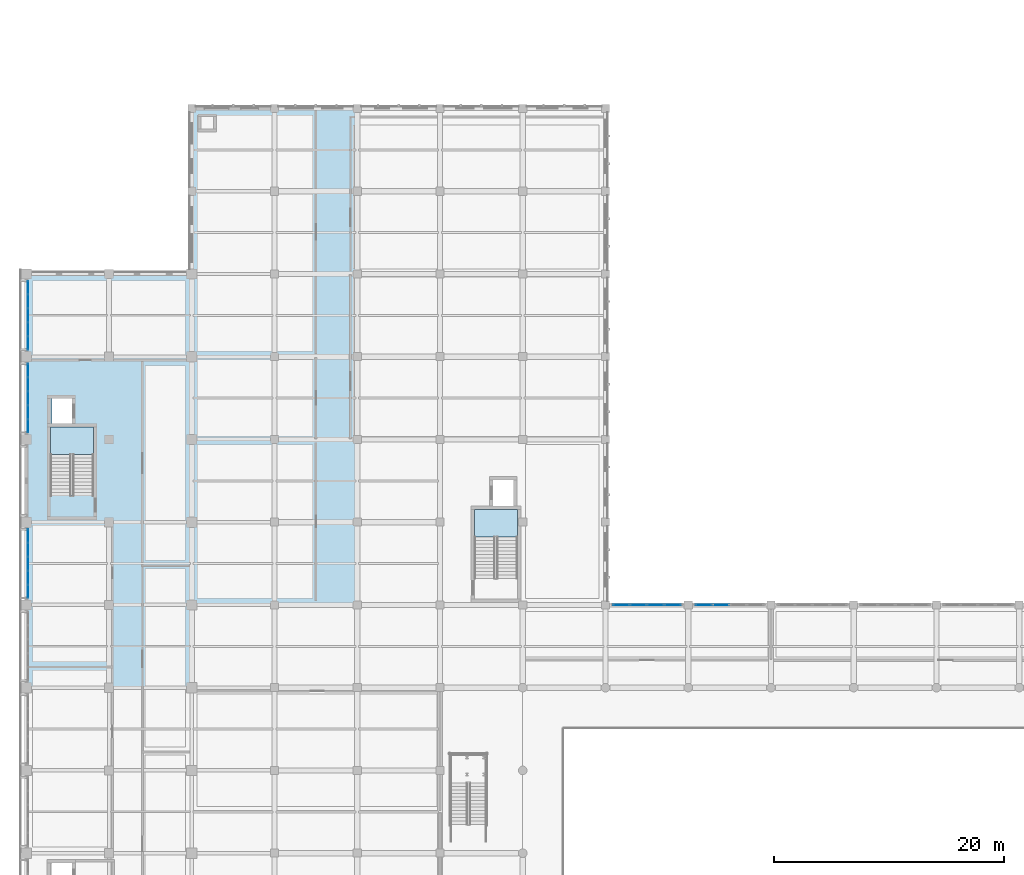
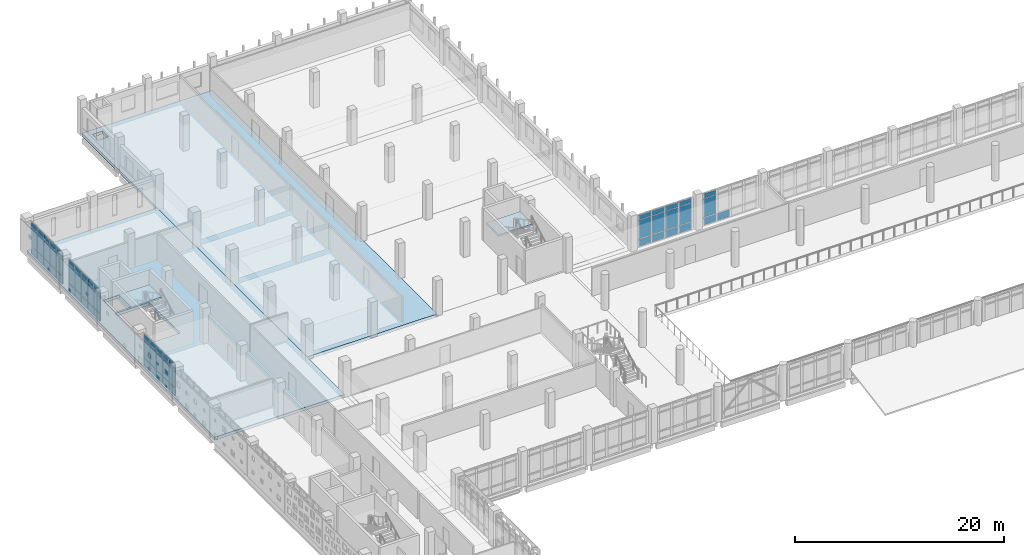
# One storey, part 26 of 57: 61 plates, 4 slabs, 7 elements without a shape of their own.
"""IFC4 building model written with IfcOpenShell, lengths in metres."""

from ifc_helpers import new_model, si_unit, direction, frame, origin, origin_2d, place, context, subcontext, project, spatial, polyline, rectangle, outline, extrude, material, layer, layer_set, type_object, element, aggregate, save


model = new_model("IFC4")

# Units and contexts
model_context = context("Model", 3, precision=1e-05, world=origin(), true_north=direction((0.0, 1.0)))
body_context = subcontext(model_context, "Body", "Model", "MODEL_VIEW")
ifc_project = project(units=[si_unit("LENGTHUNIT", "METRE"), si_unit("AREAUNIT", "SQUARE_METRE"), si_unit("VOLUMEUNIT", "CUBIC_METRE"), si_unit("PLANEANGLEUNIT", "RADIAN"), si_unit("MASSUNIT", "GRAM", prefix="KILO")], contexts=[model_context])

# Site, building, storey
site_placement = place(None, origin())
site = spatial("IfcSite", under=ifc_project, at=site_placement, CompositionType="ELEMENT")
building_placement = place(site_placement, origin())
building = spatial("IfcBuilding", under=site, at=building_placement, Name="Valkovuoma Quantum and Materials Research Institute", CompositionType="ELEMENT")
storey_placement = place(building_placement, frame((0.0, 0.0, 4.800048828125)))
storey = spatial("IfcBuildingStorey", under=building, at=storey_placement, Name="L01", CompositionType="ELEMENT", Elevation=4.800048828125)

# Curtain wall, plates
ifc_material_1 = material(Name="Thermally broken aluminium and triple low-E glazing", Category="aluminium")
ifc_layer_1 = layer(ifc_material_1, 0.219970703125)
ifc_layer_set_1 = layer_set([ifc_layer_1], Name="Thermally broken aluminium and triple low-E glazing")
curtain_wall_type_1 = type_object("IfcCurtainWallType", Name="CW-CW-01", PredefinedType="NOTDEFINED", material=ifc_layer_set_1)
curtain_wall_1_placement = place(storey_placement, origin())
curtain_wall_1 = element("IfcCurtainWall", 1, at=curtain_wall_1_placement, inside=storey, type_object=curtain_wall_type_1, Name="L01 curtain wall 015", PredefinedType="NOTDEFINED")
ifc_material_2 = material(Name="Triple low-E argon insulating glass", Category="glass")
ifc_layer_2 = layer(ifc_material_2, 0.035888671875)
ifc_layer_set_2 = layer_set([ifc_layer_2], Name="Triple low-E argon insulating glass")
plate_type_1 = type_object("IfcPlateType", Name="CWPanel-CWP-01", PredefinedType="CURTAIN_PANEL", material=ifc_layer_set_2)
plate_1_placement = place(storey_placement, frame((0.14990234375, 65.98193359375, 0.06494140625), z_axis=(0.0, 0.0, 1.0), x_axis=(0.0, 1.0, 0.0)))
plate_1 = element("IfcPlate", 2, at=plate_1_placement, type_object=plate_type_1, Name="CW-01 panel 1.1", PredefinedType="CURTAIN_PANEL", context=body_context, shape_type="SweptSolid", body=[
    extrude(rectangle(XDim=1.11962890625, YDim=0.035888671875, at=origin_2d()), origin(), (0.0, 0.0, 1.0), 0.8525390625),
])
plate_2_placement = place(storey_placement, frame((0.14990234375, 65.98193359375, 0.982421875), z_axis=(0.0, 0.0, 1.0), x_axis=(0.0, 1.0, 0.0)))
plate_2 = element("IfcPlate", 3, at=plate_2_placement, type_object=plate_type_1, Name="CW-01 panel 1.2", PredefinedType="CURTAIN_PANEL", context=body_context, shape_type="SweptSolid", body=[
    extrude(rectangle(XDim=1.11962890625, YDim=0.035888671875, at=origin_2d()), origin(), (0.0, 0.0, 1.0), 2.14501953125),
])
plate_3_placement = place(storey_placement, frame((0.14990234375, 65.98193359375, 3.1923828125), z_axis=(0.0, 0.0, 1.0), x_axis=(0.0, 1.0, 0.0)))
plate_3 = element("IfcPlate", 4, at=plate_3_placement, type_object=plate_type_1, Name="CW-01 panel 1.3", PredefinedType="CURTAIN_PANEL", context=body_context, shape_type="SweptSolid", body=[
    extrude(rectangle(XDim=1.11962890625, YDim=0.035888671875, at=origin_2d()), origin(), (0.0, 0.0, 1.0), 0.552490234375),
])
plate_4_placement = place(storey_placement, frame((0.14990234375, 67.182861328125, 0.06494140625), z_axis=(0.0, 0.0, 1.0), x_axis=(0.0, 1.0, 0.0)))
plate_4 = element("IfcPlate", 5, at=plate_4_placement, type_object=plate_type_1, Name="CW-01 panel 2.1", PredefinedType="CURTAIN_PANEL", context=body_context, shape_type="SweptSolid", body=[
    extrude(rectangle(XDim=1.152099609375, YDim=0.035888671875, at=origin_2d()), origin(), (0.0, 0.0, 1.0), 0.8525390625),
])
plate_5_placement = place(storey_placement, frame((0.14990234375, 67.182861328125, 0.982421875), z_axis=(0.0, 0.0, 1.0), x_axis=(0.0, 1.0, 0.0)))
plate_5 = element("IfcPlate", 6, at=plate_5_placement, type_object=plate_type_1, Name="CW-01 panel 2.2", PredefinedType="CURTAIN_PANEL", context=body_context, shape_type="SweptSolid", body=[
    extrude(rectangle(XDim=1.152099609375, YDim=0.035888671875, at=origin_2d()), origin(), (0.0, 0.0, 1.0), 2.14501953125),
])
plate_6_placement = place(storey_placement, frame((0.14990234375, 67.182861328125, 3.1923828125), z_axis=(0.0, 0.0, 1.0), x_axis=(0.0, 1.0, 0.0)))
plate_6 = element("IfcPlate", 7, at=plate_6_placement, type_object=plate_type_1, Name="CW-01 panel 2.3", PredefinedType="CURTAIN_PANEL", context=body_context, shape_type="SweptSolid", body=[
    extrude(rectangle(XDim=1.152099609375, YDim=0.035888671875, at=origin_2d()), origin(), (0.0, 0.0, 1.0), 0.552490234375),
])
plate_7_placement = place(storey_placement, frame((0.14990234375, 68.39990234375, 0.06494140625), z_axis=(0.0, 0.0, 1.0), x_axis=(0.0, 1.0, 0.0)))
plate_7 = element("IfcPlate", 8, at=plate_7_placement, type_object=plate_type_1, Name="CW-01 panel 3.1", PredefinedType="CURTAIN_PANEL", context=body_context, shape_type="SweptSolid", body=[
    extrude(rectangle(XDim=1.152099609375, YDim=0.035888671875, at=origin_2d()), origin(), (0.0, 0.0, 1.0), 0.8525390625),
])
plate_8_placement = place(storey_placement, frame((0.14990234375, 68.39990234375, 0.982421875), z_axis=(0.0, 0.0, 1.0), x_axis=(0.0, 1.0, 0.0)))
plate_8 = element("IfcPlate", 9, at=plate_8_placement, type_object=plate_type_1, Name="CW-01 panel 3.2", PredefinedType="CURTAIN_PANEL", context=body_context, shape_type="SweptSolid", body=[
    extrude(rectangle(XDim=1.152099609375, YDim=0.035888671875, at=origin_2d()), origin(), (0.0, 0.0, 1.0), 2.14501953125),
])
plate_9_placement = place(storey_placement, frame((0.14990234375, 68.39990234375, 3.1923828125), z_axis=(0.0, 0.0, 1.0), x_axis=(0.0, 1.0, 0.0)))
plate_9 = element("IfcPlate", 10, at=plate_9_placement, type_object=plate_type_1, Name="CW-01 panel 3.3", PredefinedType="CURTAIN_PANEL", context=body_context, shape_type="SweptSolid", body=[
    extrude(rectangle(XDim=1.152099609375, YDim=0.035888671875, at=origin_2d()), origin(), (0.0, 0.0, 1.0), 0.552490234375),
])
plate_10_placement = place(storey_placement, frame((0.14990234375, 69.6171875, 0.06494140625), z_axis=(0.0, 0.0, 1.0), x_axis=(0.0, 1.0, 0.0)))
plate_10 = element("IfcPlate", 11, at=plate_10_placement, type_object=plate_type_1, Name="CW-01 panel 4.1", PredefinedType="CURTAIN_PANEL", context=body_context, shape_type="SweptSolid", body=[
    extrude(rectangle(XDim=1.152099609375, YDim=0.035888671875, at=origin_2d()), origin(), (0.0, 0.0, 1.0), 0.8525390625),
])
plate_11_placement = place(storey_placement, frame((0.14990234375, 69.6171875, 0.982421875), z_axis=(0.0, 0.0, 1.0), x_axis=(0.0, 1.0, 0.0)))
plate_11 = element("IfcPlate", 12, at=plate_11_placement, type_object=plate_type_1, Name="CW-01 panel 4.2", PredefinedType="CURTAIN_PANEL", context=body_context, shape_type="SweptSolid", body=[
    extrude(rectangle(XDim=1.152099609375, YDim=0.035888671875, at=origin_2d()), origin(), (0.0, 0.0, 1.0), 2.14501953125),
])
plate_12_placement = place(storey_placement, frame((0.14990234375, 69.6171875, 3.1923828125), z_axis=(0.0, 0.0, 1.0), x_axis=(0.0, 1.0, 0.0)))
plate_12 = element("IfcPlate", 13, at=plate_12_placement, type_object=plate_type_1, Name="CW-01 panel 4.3", PredefinedType="CURTAIN_PANEL", context=body_context, shape_type="SweptSolid", body=[
    extrude(rectangle(XDim=1.152099609375, YDim=0.035888671875, at=origin_2d()), origin(), (0.0, 0.0, 1.0), 0.552490234375),
])
plate_13_placement = place(storey_placement, frame((0.14990234375, 70.818115234375, 0.06494140625), z_axis=(0.0, 0.0, 1.0), x_axis=(0.0, 1.0, 0.0)))
plate_13 = element("IfcPlate", 14, at=plate_13_placement, type_object=plate_type_1, Name="CW-01 panel 5.1", PredefinedType="CURTAIN_PANEL", context=body_context, shape_type="SweptSolid", body=[
    extrude(rectangle(XDim=1.11962890625, YDim=0.035888671875, at=origin_2d()), origin(), (0.0, 0.0, 1.0), 0.8525390625),
])
plate_14_placement = place(storey_placement, frame((0.14990234375, 70.818115234375, 0.982421875), z_axis=(0.0, 0.0, 1.0), x_axis=(0.0, 1.0, 0.0)))
plate_14 = element("IfcPlate", 15, at=plate_14_placement, type_object=plate_type_1, Name="CW-01 panel 5.2", PredefinedType="CURTAIN_PANEL", context=body_context, shape_type="SweptSolid", body=[
    extrude(rectangle(XDim=1.11962890625, YDim=0.035888671875, at=origin_2d()), origin(), (0.0, 0.0, 1.0), 2.14501953125),
])
plate_15_placement = place(storey_placement, frame((0.14990234375, 70.818115234375, 3.1923828125), z_axis=(0.0, 0.0, 1.0), x_axis=(0.0, 1.0, 0.0)))
plate_15 = element("IfcPlate", 16, at=plate_15_placement, type_object=plate_type_1, Name="CW-01 panel 5.3", PredefinedType="CURTAIN_PANEL", context=body_context, shape_type="SweptSolid", body=[
    extrude(rectangle(XDim=1.11962890625, YDim=0.035888671875, at=origin_2d()), origin(), (0.0, 0.0, 1.0), 0.552490234375),
])
aggregate(curtain_wall_1, [plate_1, plate_2, plate_3, plate_4, plate_5, plate_6, plate_7, plate_8, plate_9, plate_10, plate_11, plate_12, plate_13, plate_14, plate_15])

curtain_wall_2_placement = place(storey_placement, origin())
curtain_wall_2 = element("IfcCurtainWall", 17, at=curtain_wall_2_placement, inside=storey, type_object=curtain_wall_type_1, Name="L01 curtain wall 016", PredefinedType="NOTDEFINED")
plate_16_placement = place(storey_placement, frame((0.14990234375, 80.3818359375, 0.06494140625), z_axis=(0.0, 0.0, 1.0), x_axis=(0.0, 1.0, 0.0)))
plate_16 = element("IfcPlate", 18, at=plate_16_placement, type_object=plate_type_1, Name="CW-01 panel 1.1", PredefinedType="CURTAIN_PANEL", context=body_context, shape_type="SweptSolid", body=[
    extrude(rectangle(XDim=1.11962890625, YDim=0.035888671875, at=origin_2d()), origin(), (0.0, 0.0, 1.0), 0.8525390625),
])
plate_17_placement = place(storey_placement, frame((0.14990234375, 80.3818359375, 0.982421875), z_axis=(0.0, 0.0, 1.0), x_axis=(0.0, 1.0, 0.0)))
plate_17 = element("IfcPlate", 19, at=plate_17_placement, type_object=plate_type_1, Name="CW-01 panel 1.2", PredefinedType="CURTAIN_PANEL", context=body_context, shape_type="SweptSolid", body=[
    extrude(rectangle(XDim=1.11962890625, YDim=0.035888671875, at=origin_2d()), origin(), (0.0, 0.0, 1.0), 2.14501953125),
])
plate_18_placement = place(storey_placement, frame((0.14990234375, 80.3818359375, 3.1923828125), z_axis=(0.0, 0.0, 1.0), x_axis=(0.0, 1.0, 0.0)))
plate_18 = element("IfcPlate", 20, at=plate_18_placement, type_object=plate_type_1, Name="CW-01 panel 1.3", PredefinedType="CURTAIN_PANEL", context=body_context, shape_type="SweptSolid", body=[
    extrude(rectangle(XDim=1.11962890625, YDim=0.035888671875, at=origin_2d()), origin(), (0.0, 0.0, 1.0), 0.552490234375),
])
plate_19_placement = place(storey_placement, frame((0.14990234375, 81.582763671875, 0.06494140625), z_axis=(0.0, 0.0, 1.0), x_axis=(0.0, 1.0, 0.0)))
plate_19 = element("IfcPlate", 21, at=plate_19_placement, type_object=plate_type_1, Name="CW-01 panel 2.1", PredefinedType="CURTAIN_PANEL", context=body_context, shape_type="SweptSolid", body=[
    extrude(rectangle(XDim=1.152099609375, YDim=0.035888671875, at=origin_2d()), origin(), (0.0, 0.0, 1.0), 0.8525390625),
])
plate_20_placement = place(storey_placement, frame((0.14990234375, 81.582763671875, 0.982421875), z_axis=(0.0, 0.0, 1.0), x_axis=(0.0, 1.0, 0.0)))
plate_20 = element("IfcPlate", 22, at=plate_20_placement, type_object=plate_type_1, Name="CW-01 panel 2.2", PredefinedType="CURTAIN_PANEL", context=body_context, shape_type="SweptSolid", body=[
    extrude(rectangle(XDim=1.152099609375, YDim=0.035888671875, at=origin_2d()), origin(), (0.0, 0.0, 1.0), 2.14501953125),
])
plate_21_placement = place(storey_placement, frame((0.14990234375, 81.582763671875, 3.1923828125), z_axis=(0.0, 0.0, 1.0), x_axis=(0.0, 1.0, 0.0)))
plate_21 = element("IfcPlate", 23, at=plate_21_placement, type_object=plate_type_1, Name="CW-01 panel 2.3", PredefinedType="CURTAIN_PANEL", context=body_context, shape_type="SweptSolid", body=[
    extrude(rectangle(XDim=1.152099609375, YDim=0.035888671875, at=origin_2d()), origin(), (0.0, 0.0, 1.0), 0.552490234375),
])
plate_22_placement = place(storey_placement, frame((0.14990234375, 82.800048828125, 0.06494140625), z_axis=(0.0, 0.0, 1.0), x_axis=(0.0, 1.0, 0.0)))
plate_22 = element("IfcPlate", 24, at=plate_22_placement, type_object=plate_type_1, Name="CW-01 panel 3.1", PredefinedType="CURTAIN_PANEL", context=body_context, shape_type="SweptSolid", body=[
    extrude(rectangle(XDim=1.152099609375, YDim=0.035888671875, at=origin_2d()), origin(), (0.0, 0.0, 1.0), 0.8525390625),
])
plate_23_placement = place(storey_placement, frame((0.14990234375, 82.800048828125, 0.982421875), z_axis=(0.0, 0.0, 1.0), x_axis=(0.0, 1.0, 0.0)))
plate_23 = element("IfcPlate", 25, at=plate_23_placement, type_object=plate_type_1, Name="CW-01 panel 3.2", PredefinedType="CURTAIN_PANEL", context=body_context, shape_type="SweptSolid", body=[
    extrude(rectangle(XDim=1.152099609375, YDim=0.035888671875, at=origin_2d()), origin(), (0.0, 0.0, 1.0), 2.14501953125),
])
plate_24_placement = place(storey_placement, frame((0.14990234375, 82.800048828125, 3.1923828125), z_axis=(0.0, 0.0, 1.0), x_axis=(0.0, 1.0, 0.0)))
plate_24 = element("IfcPlate", 26, at=plate_24_placement, type_object=plate_type_1, Name="CW-01 panel 3.3", PredefinedType="CURTAIN_PANEL", context=body_context, shape_type="SweptSolid", body=[
    extrude(rectangle(XDim=1.152099609375, YDim=0.035888671875, at=origin_2d()), origin(), (0.0, 0.0, 1.0), 0.552490234375),
])
plate_25_placement = place(storey_placement, frame((0.14990234375, 84.01708984375, 0.06494140625), z_axis=(0.0, 0.0, 1.0), x_axis=(0.0, 1.0, 0.0)))
plate_25 = element("IfcPlate", 27, at=plate_25_placement, type_object=plate_type_1, Name="CW-01 panel 4.1", PredefinedType="CURTAIN_PANEL", context=body_context, shape_type="SweptSolid", body=[
    extrude(rectangle(XDim=1.152099609375, YDim=0.035888671875, at=origin_2d()), origin(), (0.0, 0.0, 1.0), 0.8525390625),
])
plate_26_placement = place(storey_placement, frame((0.14990234375, 84.01708984375, 0.982421875), z_axis=(0.0, 0.0, 1.0), x_axis=(0.0, 1.0, 0.0)))
plate_26 = element("IfcPlate", 28, at=plate_26_placement, type_object=plate_type_1, Name="CW-01 panel 4.2", PredefinedType="CURTAIN_PANEL", context=body_context, shape_type="SweptSolid", body=[
    extrude(rectangle(XDim=1.152099609375, YDim=0.035888671875, at=origin_2d()), origin(), (0.0, 0.0, 1.0), 2.14501953125),
])
plate_27_placement = place(storey_placement, frame((0.14990234375, 84.01708984375, 3.1923828125), z_axis=(0.0, 0.0, 1.0), x_axis=(0.0, 1.0, 0.0)))
plate_27 = element("IfcPlate", 29, at=plate_27_placement, type_object=plate_type_1, Name="CW-01 panel 4.3", PredefinedType="CURTAIN_PANEL", context=body_context, shape_type="SweptSolid", body=[
    extrude(rectangle(XDim=1.152099609375, YDim=0.035888671875, at=origin_2d()), origin(), (0.0, 0.0, 1.0), 0.552490234375),
])
plate_28_placement = place(storey_placement, frame((0.14990234375, 85.218017578125, 0.06494140625), z_axis=(0.0, 0.0, 1.0), x_axis=(0.0, 1.0, 0.0)))
plate_28 = element("IfcPlate", 30, at=plate_28_placement, type_object=plate_type_1, Name="CW-01 panel 5.1", PredefinedType="CURTAIN_PANEL", context=body_context, shape_type="SweptSolid", body=[
    extrude(rectangle(XDim=1.11962890625, YDim=0.035888671875, at=origin_2d()), origin(), (0.0, 0.0, 1.0), 0.8525390625),
])
plate_29_placement = place(storey_placement, frame((0.14990234375, 85.218017578125, 0.982421875), z_axis=(0.0, 0.0, 1.0), x_axis=(0.0, 1.0, 0.0)))
plate_29 = element("IfcPlate", 31, at=plate_29_placement, type_object=plate_type_1, Name="CW-01 panel 5.2", PredefinedType="CURTAIN_PANEL", context=body_context, shape_type="SweptSolid", body=[
    extrude(rectangle(XDim=1.11962890625, YDim=0.035888671875, at=origin_2d()), origin(), (0.0, 0.0, 1.0), 2.14501953125),
])
plate_30_placement = place(storey_placement, frame((0.14990234375, 85.218017578125, 3.1923828125), z_axis=(0.0, 0.0, 1.0), x_axis=(0.0, 1.0, 0.0)))
plate_30 = element("IfcPlate", 32, at=plate_30_placement, type_object=plate_type_1, Name="CW-01 panel 5.3", PredefinedType="CURTAIN_PANEL", context=body_context, shape_type="SweptSolid", body=[
    extrude(rectangle(XDim=1.11962890625, YDim=0.035888671875, at=origin_2d()), origin(), (0.0, 0.0, 1.0), 0.552490234375),
])
aggregate(curtain_wall_2, [plate_16, plate_17, plate_18, plate_19, plate_20, plate_21, plate_22, plate_23, plate_24, plate_25, plate_26, plate_27, plate_28, plate_29, plate_30])

curtain_wall_3_placement = place(storey_placement, origin())
curtain_wall_3 = element("IfcCurtainWall", 33, at=curtain_wall_3_placement, inside=storey, type_object=curtain_wall_type_1, Name="L01 curtain wall 017", PredefinedType="NOTDEFINED")
plate_31_placement = place(storey_placement, frame((0.14990234375, 87.58203125, 0.06494140625), z_axis=(0.0, 0.0, 1.0), x_axis=(0.0, 1.0, 0.0)))
plate_31 = element("IfcPlate", 34, at=plate_31_placement, type_object=plate_type_1, Name="CW-01 panel 1.1", PredefinedType="CURTAIN_PANEL", context=body_context, shape_type="SweptSolid", body=[
    extrude(rectangle(XDim=1.11962890625, YDim=0.035888671875, at=origin_2d()), origin(), (0.0, 0.0, 1.0), 0.8525390625),
])
plate_32_placement = place(storey_placement, frame((0.14990234375, 87.58203125, 0.982421875), z_axis=(0.0, 0.0, 1.0), x_axis=(0.0, 1.0, 0.0)))
plate_32 = element("IfcPlate", 35, at=plate_32_placement, type_object=plate_type_1, Name="CW-01 panel 1.2", PredefinedType="CURTAIN_PANEL", context=body_context, shape_type="SweptSolid", body=[
    extrude(rectangle(XDim=1.11962890625, YDim=0.035888671875, at=origin_2d()), origin(), (0.0, 0.0, 1.0), 2.14501953125),
])
plate_33_placement = place(storey_placement, frame((0.14990234375, 87.58203125, 3.1923828125), z_axis=(0.0, 0.0, 1.0), x_axis=(0.0, 1.0, 0.0)))
plate_33 = element("IfcPlate", 36, at=plate_33_placement, type_object=plate_type_1, Name="CW-01 panel 1.3", PredefinedType="CURTAIN_PANEL", context=body_context, shape_type="SweptSolid", body=[
    extrude(rectangle(XDim=1.11962890625, YDim=0.035888671875, at=origin_2d()), origin(), (0.0, 0.0, 1.0), 0.552490234375),
])
plate_34_placement = place(storey_placement, frame((0.14990234375, 88.782958984375, 0.06494140625), z_axis=(0.0, 0.0, 1.0), x_axis=(0.0, 1.0, 0.0)))
plate_34 = element("IfcPlate", 37, at=plate_34_placement, type_object=plate_type_1, Name="CW-01 panel 2.1", PredefinedType="CURTAIN_PANEL", context=body_context, shape_type="SweptSolid", body=[
    extrude(rectangle(XDim=1.152099609375, YDim=0.035888671875, at=origin_2d()), origin(), (0.0, 0.0, 1.0), 0.8525390625),
])
plate_35_placement = place(storey_placement, frame((0.14990234375, 88.782958984375, 0.982421875), z_axis=(0.0, 0.0, 1.0), x_axis=(0.0, 1.0, 0.0)))
plate_35 = element("IfcPlate", 38, at=plate_35_placement, type_object=plate_type_1, Name="CW-01 panel 2.2", PredefinedType="CURTAIN_PANEL", context=body_context, shape_type="SweptSolid", body=[
    extrude(rectangle(XDim=1.152099609375, YDim=0.035888671875, at=origin_2d()), origin(), (0.0, 0.0, 1.0), 2.14501953125),
])
plate_36_placement = place(storey_placement, frame((0.14990234375, 88.782958984375, 3.1923828125), z_axis=(0.0, 0.0, 1.0), x_axis=(0.0, 1.0, 0.0)))
plate_36 = element("IfcPlate", 39, at=plate_36_placement, type_object=plate_type_1, Name="CW-01 panel 2.3", PredefinedType="CURTAIN_PANEL", context=body_context, shape_type="SweptSolid", body=[
    extrude(rectangle(XDim=1.152099609375, YDim=0.035888671875, at=origin_2d()), origin(), (0.0, 0.0, 1.0), 0.552490234375),
])
plate_37_placement = place(storey_placement, frame((0.14990234375, 90.0, 0.06494140625), z_axis=(0.0, 0.0, 1.0), x_axis=(0.0, 1.0, 0.0)))
plate_37 = element("IfcPlate", 40, at=plate_37_placement, type_object=plate_type_1, Name="CW-01 panel 3.1", PredefinedType="CURTAIN_PANEL", context=body_context, shape_type="SweptSolid", body=[
    extrude(rectangle(XDim=1.152099609375, YDim=0.035888671875, at=origin_2d()), origin(), (0.0, 0.0, 1.0), 0.8525390625),
])
plate_38_placement = place(storey_placement, frame((0.14990234375, 90.0, 0.982421875), z_axis=(0.0, 0.0, 1.0), x_axis=(0.0, 1.0, 0.0)))
plate_38 = element("IfcPlate", 41, at=plate_38_placement, type_object=plate_type_1, Name="CW-01 panel 3.2", PredefinedType="CURTAIN_PANEL", context=body_context, shape_type="SweptSolid", body=[
    extrude(rectangle(XDim=1.152099609375, YDim=0.035888671875, at=origin_2d()), origin(), (0.0, 0.0, 1.0), 2.14501953125),
])
plate_39_placement = place(storey_placement, frame((0.14990234375, 90.0, 3.1923828125), z_axis=(0.0, 0.0, 1.0), x_axis=(0.0, 1.0, 0.0)))
plate_39 = element("IfcPlate", 42, at=plate_39_placement, type_object=plate_type_1, Name="CW-01 panel 3.3", PredefinedType="CURTAIN_PANEL", context=body_context, shape_type="SweptSolid", body=[
    extrude(rectangle(XDim=1.152099609375, YDim=0.035888671875, at=origin_2d()), origin(), (0.0, 0.0, 1.0), 0.552490234375),
])
plate_40_placement = place(storey_placement, frame((0.14990234375, 91.217041015625, 0.06494140625), z_axis=(0.0, 0.0, 1.0), x_axis=(0.0, 1.0, 0.0)))
plate_40 = element("IfcPlate", 43, at=plate_40_placement, type_object=plate_type_1, Name="CW-01 panel 4.1", PredefinedType="CURTAIN_PANEL", context=body_context, shape_type="SweptSolid", body=[
    extrude(rectangle(XDim=1.152099609375, YDim=0.035888671875, at=origin_2d()), origin(), (0.0, 0.0, 1.0), 0.8525390625),
])
plate_41_placement = place(storey_placement, frame((0.14990234375, 91.217041015625, 0.982421875), z_axis=(0.0, 0.0, 1.0), x_axis=(0.0, 1.0, 0.0)))
plate_41 = element("IfcPlate", 44, at=plate_41_placement, type_object=plate_type_1, Name="CW-01 panel 4.2", PredefinedType="CURTAIN_PANEL", context=body_context, shape_type="SweptSolid", body=[
    extrude(rectangle(XDim=1.152099609375, YDim=0.035888671875, at=origin_2d()), origin(), (0.0, 0.0, 1.0), 2.14501953125),
])
plate_42_placement = place(storey_placement, frame((0.14990234375, 91.217041015625, 3.1923828125), z_axis=(0.0, 0.0, 1.0), x_axis=(0.0, 1.0, 0.0)))
plate_42 = element("IfcPlate", 45, at=plate_42_placement, type_object=plate_type_1, Name="CW-01 panel 4.3", PredefinedType="CURTAIN_PANEL", context=body_context, shape_type="SweptSolid", body=[
    extrude(rectangle(XDim=1.152099609375, YDim=0.035888671875, at=origin_2d()), origin(), (0.0, 0.0, 1.0), 0.552490234375),
])
plate_43_placement = place(storey_placement, frame((0.14990234375, 92.41796875, 0.06494140625), z_axis=(0.0, 0.0, 1.0), x_axis=(0.0, 1.0, 0.0)))
plate_43 = element("IfcPlate", 46, at=plate_43_placement, type_object=plate_type_1, Name="CW-01 panel 5.1", PredefinedType="CURTAIN_PANEL", context=body_context, shape_type="SweptSolid", body=[
    extrude(rectangle(XDim=1.11962890625, YDim=0.035888671875, at=origin_2d()), origin(), (0.0, 0.0, 1.0), 0.8525390625),
])
plate_44_placement = place(storey_placement, frame((0.14990234375, 92.41796875, 0.982421875), z_axis=(0.0, 0.0, 1.0), x_axis=(0.0, 1.0, 0.0)))
plate_44 = element("IfcPlate", 47, at=plate_44_placement, type_object=plate_type_1, Name="CW-01 panel 5.2", PredefinedType="CURTAIN_PANEL", context=body_context, shape_type="SweptSolid", body=[
    extrude(rectangle(XDim=1.11962890625, YDim=0.035888671875, at=origin_2d()), origin(), (0.0, 0.0, 1.0), 2.14501953125),
])
plate_45_placement = place(storey_placement, frame((0.14990234375, 92.41796875, 3.1923828125), z_axis=(0.0, 0.0, 1.0), x_axis=(0.0, 1.0, 0.0)))
plate_45 = element("IfcPlate", 48, at=plate_45_placement, type_object=plate_type_1, Name="CW-01 panel 5.3", PredefinedType="CURTAIN_PANEL", context=body_context, shape_type="SweptSolid", body=[
    extrude(rectangle(XDim=1.11962890625, YDim=0.035888671875, at=origin_2d()), origin(), (0.0, 0.0, 1.0), 0.552490234375),
])
aggregate(curtain_wall_3, [plate_31, plate_32, plate_33, plate_34, plate_35, plate_36, plate_37, plate_38, plate_39, plate_40, plate_41, plate_42, plate_43, plate_44, plate_45])

ifc_material_3 = material(Name="Thermally broken aluminium and triple low-E glazing", Category="aluminium")
ifc_layer_3 = layer(ifc_material_3, 0.219970703125)
ifc_layer_set_3 = layer_set([ifc_layer_3], Name="Thermally broken aluminium and triple low-E glazing")
curtain_wall_type_2 = type_object("IfcCurtainWallType", Name="CW-CW-02", PredefinedType="NOTDEFINED", material=ifc_layer_set_3)
curtain_wall_4_placement = place(storey_placement, origin())
curtain_wall_4 = element("IfcCurtainWall", 49, at=curtain_wall_4_placement, inside=storey, type_object=curtain_wall_type_2, Name="L01 curtain wall 171", PredefinedType="NOTDEFINED")
ifc_material_4 = material(Name="Triple low-E argon insulating glass", Category="glass")
ifc_layer_4 = layer(ifc_material_4, 0.0419921875)
ifc_layer_set_4 = layer_set([ifc_layer_4], Name="Triple low-E argon insulating glass")
plate_type_2 = type_object("IfcPlateType", Name="CWPanel-CWP-02", PredefinedType="CURTAIN_PANEL", material=ifc_layer_set_4)
plate_46_placement = place(storey_placement, frame((51.7548828125, 64.800048828125, 0.074951171875), z_axis=(0.0, 0.0, 1.0), x_axis=(1.0, 0.0, 0.0)))
plate_46 = element("IfcPlate", 50, at=plate_46_placement, type_object=plate_type_2, Name="CW-02 panel 1.1", PredefinedType="CURTAIN_PANEL", context=body_context, shape_type="SweptSolid", body=[
    extrude(rectangle(XDim=1.389892578125, YDim=0.0419921875, at=origin_2d()), origin(), (0.0, 0.0, 1.0), 0.83740234375),
])
plate_47_placement = place(storey_placement, frame((51.7548828125, 64.800048828125, 0.9873046875), z_axis=(0.0, 0.0, 1.0), x_axis=(1.0, 0.0, 0.0)))
plate_47 = element("IfcPlate", 51, at=plate_47_placement, type_object=plate_type_2, Name="CW-02 panel 1.2", PredefinedType="CURTAIN_PANEL", context=body_context, shape_type="SweptSolid", body=[
    extrude(rectangle(XDim=1.389892578125, YDim=0.0419921875, at=origin_2d()), origin(), (0.0, 0.0, 1.0), 2.135009765625),
])
plate_48_placement = place(storey_placement, frame((51.7548828125, 64.800048828125, 3.197509765625), z_axis=(0.0, 0.0, 1.0), x_axis=(1.0, 0.0, 0.0)))
plate_48 = element("IfcPlate", 52, at=plate_48_placement, type_object=plate_type_2, Name="CW-02 panel 1.3", PredefinedType="CURTAIN_PANEL", context=body_context, shape_type="SweptSolid", body=[
    extrude(rectangle(XDim=1.389892578125, YDim=0.0419921875, at=origin_2d()), origin(), (0.0, 0.0, 1.0), 0.53759765625),
])
plate_49_placement = place(storey_placement, frame((53.2451171875, 64.800048828125, 0.074951171875), z_axis=(0.0, 0.0, 1.0), x_axis=(1.0, 0.0, 0.0)))
plate_49 = element("IfcPlate", 53, at=plate_49_placement, type_object=plate_type_2, Name="CW-02 panel 2.1", PredefinedType="CURTAIN_PANEL", context=body_context, shape_type="SweptSolid", body=[
    extrude(rectangle(XDim=1.429931640625, YDim=0.0419921875, at=origin_2d()), origin(), (0.0, 0.0, 1.0), 0.83740234375),
])
plate_50_placement = place(storey_placement, frame((53.2451171875, 64.800048828125, 0.9873046875), z_axis=(0.0, 0.0, 1.0), x_axis=(1.0, 0.0, 0.0)))
plate_50 = element("IfcPlate", 54, at=plate_50_placement, type_object=plate_type_2, Name="CW-02 panel 2.2", PredefinedType="CURTAIN_PANEL", context=body_context, shape_type="SweptSolid", body=[
    extrude(rectangle(XDim=1.429931640625, YDim=0.0419921875, at=origin_2d()), origin(), (0.0, 0.0, 1.0), 2.135009765625),
])
plate_51_placement = place(storey_placement, frame((53.2451171875, 64.800048828125, 3.197509765625), z_axis=(0.0, 0.0, 1.0), x_axis=(1.0, 0.0, 0.0)))
plate_51 = element("IfcPlate", 55, at=plate_51_placement, type_object=plate_type_2, Name="CW-02 panel 2.3", PredefinedType="CURTAIN_PANEL", context=body_context, shape_type="SweptSolid", body=[
    extrude(rectangle(XDim=1.429931640625, YDim=0.0419921875, at=origin_2d()), origin(), (0.0, 0.0, 1.0), 0.53759765625),
])
plate_52_placement = place(storey_placement, frame((54.7548828125, 64.800048828125, 0.074951171875), z_axis=(0.0, 0.0, 1.0), x_axis=(1.0, 0.0, 0.0)))
plate_52 = element("IfcPlate", 56, at=plate_52_placement, type_object=plate_type_2, Name="CW-02 panel 3.1", PredefinedType="CURTAIN_PANEL", context=body_context, shape_type="SweptSolid", body=[
    extrude(rectangle(XDim=1.429931640625, YDim=0.0419921875, at=origin_2d()), origin(), (0.0, 0.0, 1.0), 0.83740234375),
])
plate_53_placement = place(storey_placement, frame((54.7548828125, 64.800048828125, 0.9873046875), z_axis=(0.0, 0.0, 1.0), x_axis=(1.0, 0.0, 0.0)))
plate_53 = element("IfcPlate", 57, at=plate_53_placement, type_object=plate_type_2, Name="CW-02 panel 3.2", PredefinedType="CURTAIN_PANEL", context=body_context, shape_type="SweptSolid", body=[
    extrude(rectangle(XDim=1.429931640625, YDim=0.0419921875, at=origin_2d()), origin(), (0.0, 0.0, 1.0), 2.135009765625),
])
plate_54_placement = place(storey_placement, frame((54.7548828125, 64.800048828125, 3.197509765625), z_axis=(0.0, 0.0, 1.0), x_axis=(1.0, 0.0, 0.0)))
plate_54 = element("IfcPlate", 58, at=plate_54_placement, type_object=plate_type_2, Name="CW-02 panel 3.3", PredefinedType="CURTAIN_PANEL", context=body_context, shape_type="SweptSolid", body=[
    extrude(rectangle(XDim=1.429931640625, YDim=0.0419921875, at=origin_2d()), origin(), (0.0, 0.0, 1.0), 0.53759765625),
])
plate_55_placement = place(storey_placement, frame((56.2451171875, 64.800048828125, 0.074951171875), z_axis=(0.0, 0.0, 1.0), x_axis=(1.0, 0.0, 0.0)))
plate_55 = element("IfcPlate", 59, at=plate_55_placement, type_object=plate_type_2, Name="CW-02 panel 4.1", PredefinedType="CURTAIN_PANEL", context=body_context, shape_type="SweptSolid", body=[
    extrude(rectangle(XDim=1.389892578125, YDim=0.0419921875, at=origin_2d()), origin(), (0.0, 0.0, 1.0), 0.83740234375),
])
plate_56_placement = place(storey_placement, frame((56.2451171875, 64.800048828125, 0.9873046875), z_axis=(0.0, 0.0, 1.0), x_axis=(1.0, 0.0, 0.0)))
plate_56 = element("IfcPlate", 60, at=plate_56_placement, type_object=plate_type_2, Name="CW-02 panel 4.2", PredefinedType="CURTAIN_PANEL", context=body_context, shape_type="SweptSolid", body=[
    extrude(rectangle(XDim=1.389892578125, YDim=0.0419921875, at=origin_2d()), origin(), (0.0, 0.0, 1.0), 2.135009765625),
])
plate_57_placement = place(storey_placement, frame((56.2451171875, 64.800048828125, 3.197509765625), z_axis=(0.0, 0.0, 1.0), x_axis=(1.0, 0.0, 0.0)))
plate_57 = element("IfcPlate", 61, at=plate_57_placement, type_object=plate_type_2, Name="CW-02 panel 4.3", PredefinedType="CURTAIN_PANEL", context=body_context, shape_type="SweptSolid", body=[
    extrude(rectangle(XDim=1.389892578125, YDim=0.0419921875, at=origin_2d()), origin(), (0.0, 0.0, 1.0), 0.53759765625),
])
aggregate(curtain_wall_4, [plate_46, plate_47, plate_48, plate_49, plate_50, plate_51, plate_52, plate_53, plate_54, plate_55, plate_56, plate_57])

curtain_wall_5_placement = place(storey_placement, origin())
curtain_wall_5 = element("IfcCurtainWall", 62, at=curtain_wall_5_placement, inside=storey, type_object=curtain_wall_type_2, Name="L01 curtain wall 172", PredefinedType="NOTDEFINED")
plate_58_placement = place(storey_placement, frame((58.955078125, 64.800048828125, 0.074951171875), z_axis=(0.0, 0.0, 1.0), x_axis=(1.0, 0.0, 0.0)))
plate_58 = element("IfcPlate", 63, at=plate_58_placement, type_object=plate_type_2, Name="CW-02 panel 1.1", PredefinedType="CURTAIN_PANEL", context=body_context, shape_type="SweptSolid", body=[
    extrude(rectangle(XDim=1.389892578125, YDim=0.0419921875, at=origin_2d()), origin(), (0.0, 0.0, 1.0), 0.83740234375),
])
plate_59_placement = place(storey_placement, frame((58.955078125, 64.800048828125, 0.9873046875), z_axis=(0.0, 0.0, 1.0), x_axis=(1.0, 0.0, 0.0)))
plate_59 = element("IfcPlate", 64, at=plate_59_placement, type_object=plate_type_2, Name="CW-02 panel 1.2", PredefinedType="CURTAIN_PANEL", context=body_context, shape_type="SweptSolid", body=[
    extrude(rectangle(XDim=1.389892578125, YDim=0.0419921875, at=origin_2d()), origin(), (0.0, 0.0, 1.0), 2.135009765625),
])
plate_60_placement = place(storey_placement, frame((58.955078125, 64.800048828125, 3.197509765625), z_axis=(0.0, 0.0, 1.0), x_axis=(1.0, 0.0, 0.0)))
plate_60 = element("IfcPlate", 65, at=plate_60_placement, type_object=plate_type_2, Name="CW-02 panel 1.3", PredefinedType="CURTAIN_PANEL", context=body_context, shape_type="SweptSolid", body=[
    extrude(rectangle(XDim=1.389892578125, YDim=0.0419921875, at=origin_2d()), origin(), (0.0, 0.0, 1.0), 0.53759765625),
])
plate_61_placement = place(storey_placement, frame((60.445068359375, 64.800048828125, 0.074951171875), z_axis=(0.0, 0.0, 1.0), x_axis=(1.0, 0.0, 0.0)))
plate_61 = element("IfcPlate", 66, at=plate_61_placement, type_object=plate_type_2, Name="CW-02 panel 2.1", PredefinedType="CURTAIN_PANEL", context=body_context, shape_type="SweptSolid", body=[
    extrude(rectangle(XDim=1.429931640625, YDim=0.0419921875, at=origin_2d()), origin(), (0.0, 0.0, 1.0), 0.83740234375),
])
aggregate(curtain_wall_5, [plate_58, plate_59, plate_60, plate_61])

# Slabs
ifc_material_5 = material(Name="Concrete C40/50", Category="concrete")
ifc_layer_5 = layer(ifc_material_5, 0.35009765625)
ifc_layer_set_5 = layer_set([ifc_layer_5], Name="Concrete C40/50")
slab_type_1 = type_object("IfcSlabType", Name="Slab-SL-FL350", PredefinedType="FLOOR", material=ifc_layer_set_5)
slab_1_placement = place(storey_placement, frame((0.0, 0.0, -0.35009765625)))
element("IfcSlab", 67, at=slab_1_placement, inside=storey, type_object=slab_type_1, Name="L01 vol3_cleanroom structural slab 1", PredefinedType="FLOOR", context=body_context, shape_type="SweptSolid", body=[
    extrude(outline(polyline([(14.39990234375, 64.800048828125), (28.800048828125, 64.800048828125), (28.800048828125, 108.0), (14.39990234375, 108.0), (14.39990234375, 64.800048828125)]), holes=[polyline([(15.199951171875, 106.199951171875), (16.300048828125, 106.199951171875), (16.300048828125, 107.300048828125), (15.199951171875, 107.300048828125), (15.199951171875, 106.199951171875)])]), origin(), (0.0, 0.0, 1.0), 0.35009765625),
])
slab_2_placement = place(storey_placement, frame((0.0, 0.0, -0.35009765625)))
element("IfcSlab", 68, at=slab_2_placement, inside=storey, type_object=slab_type_1, Name="L01 vol5_drylab structural slab 2", PredefinedType="FLOOR", context=body_context, shape_type="SweptSolid", body=[
    extrude(outline(polyline([(0.0, 57.60009765625), (14.39990234375, 57.60009765625), (14.39990234375, 93.60009765625), (0.0, 93.60009765625), (0.0, 57.60009765625)]), holes=[polyline([(2.10009765625, 74.360107421875), (5.85009765625, 74.360107421875), (5.85009765625, 80.300048828125), (2.10009765625, 80.300048828125), (2.10009765625, 74.360107421875)]), polyline([(2.219970703125, 80.52001953125), (3.97998046875, 80.52001953125), (3.97998046875, 82.780029296875), (2.219970703125, 82.780029296875), (2.219970703125, 80.52001953125)])]), origin(), (0.0, 0.0, 1.0), 0.35009765625),
])

# Stair, slab
ifc_material_6 = material(Name="Concrete C40/50", Category="concrete")
stair_type = type_object("IfcStairType", Name="Stair-ST-COR", PredefinedType="HALF_TURN_STAIR", material=ifc_material_6)
stair_1_placement = place(storey_placement, origin())
stair_1 = element("IfcStair", 69, at=stair_1_placement, inside=storey, type_object=stair_type, Name="L01 Exit Stair ST-2", PredefinedType="HALF_TURN_STAIR")
ifc_material_7 = material(Name="Concrete C40/50", Category="concrete")
ifc_layer_6 = layer(ifc_material_7, 0.199951171875)
ifc_layer_set_6 = layer_set([ifc_layer_6], Name="Concrete C40/50")
slab_type_2 = type_object("IfcSlabType", Name="Slab-SL-LND200", PredefinedType="LANDING", material=ifc_layer_set_6)
slab_3_placement = place(storey_placement, frame((0.0, 0.0, 1.8798828125)))
slab_3 = element("IfcSlab", 70, at=slab_3_placement, type_object=slab_type_2, Name="ST-2 landing 1", PredefinedType="LANDING", context=body_context, shape_type="SweptSolid", body=[
    extrude(outline(polyline([(5.85009765625, 77.89990234375), (5.85009765625, 80.300048828125), (2.10009765625, 80.300048828125), (2.10009765625, 77.89990234375), (5.85009765625, 77.89990234375)])), origin(), (0.0, 0.0, 1.0), 0.199951171875),
])
aggregate(stair_1, [slab_3])

stair_2_placement = place(storey_placement, origin())
stair_2 = element("IfcStair", 71, at=stair_2_placement, inside=storey, type_object=stair_type, Name="L01 Exit Stair ST-4", PredefinedType="HALF_TURN_STAIR")
slab_4_placement = place(storey_placement, frame((0.0, 0.0, 1.8798828125)))
slab_4 = element("IfcSlab", 72, at=slab_4_placement, type_object=slab_type_2, Name="ST-4 landing 1", PredefinedType="LANDING", context=body_context, shape_type="SweptSolid", body=[
    extrude(outline(polyline([(42.75, 70.699951171875), (42.75, 73.10009765625), (39.0, 73.10009765625), (39.0, 70.699951171875), (42.75, 70.699951171875)])), origin(), (0.0, 0.0, 1.0), 0.199951171875),
])
aggregate(stair_2, [slab_4])

save(model, "model.ifc")
